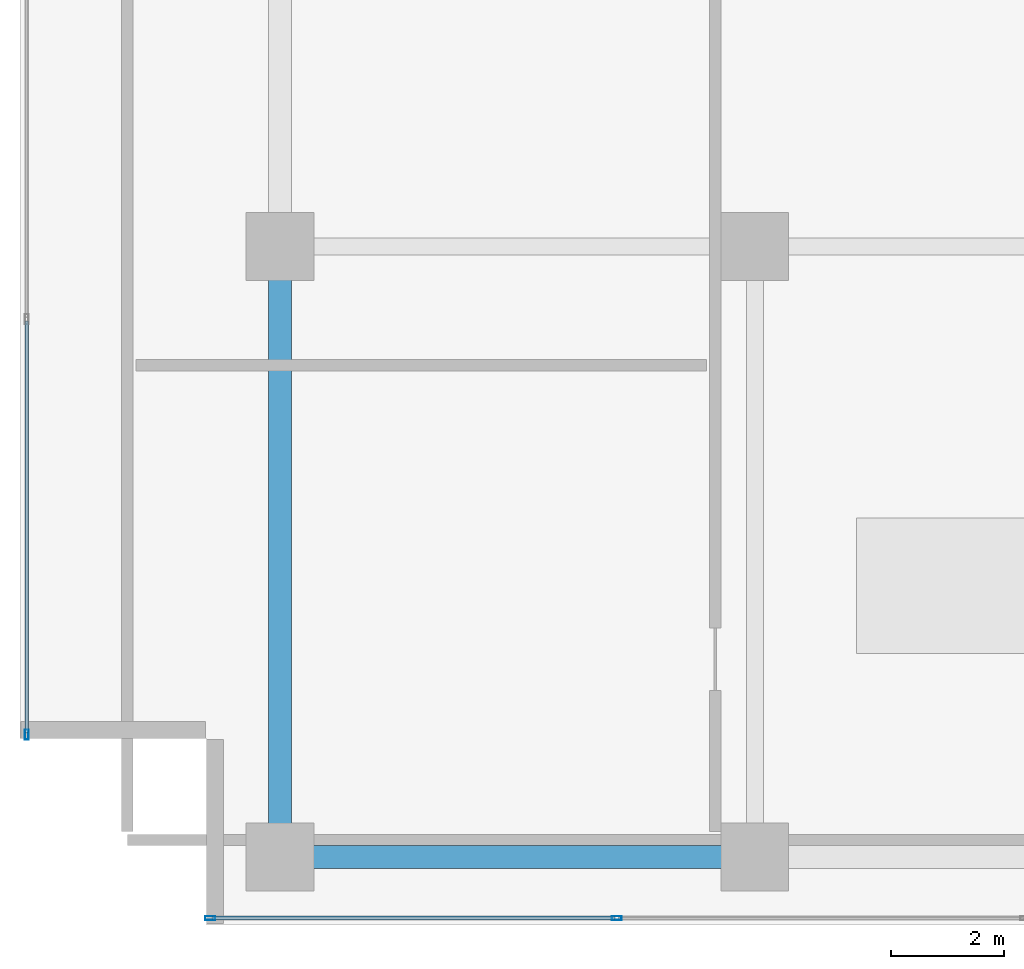
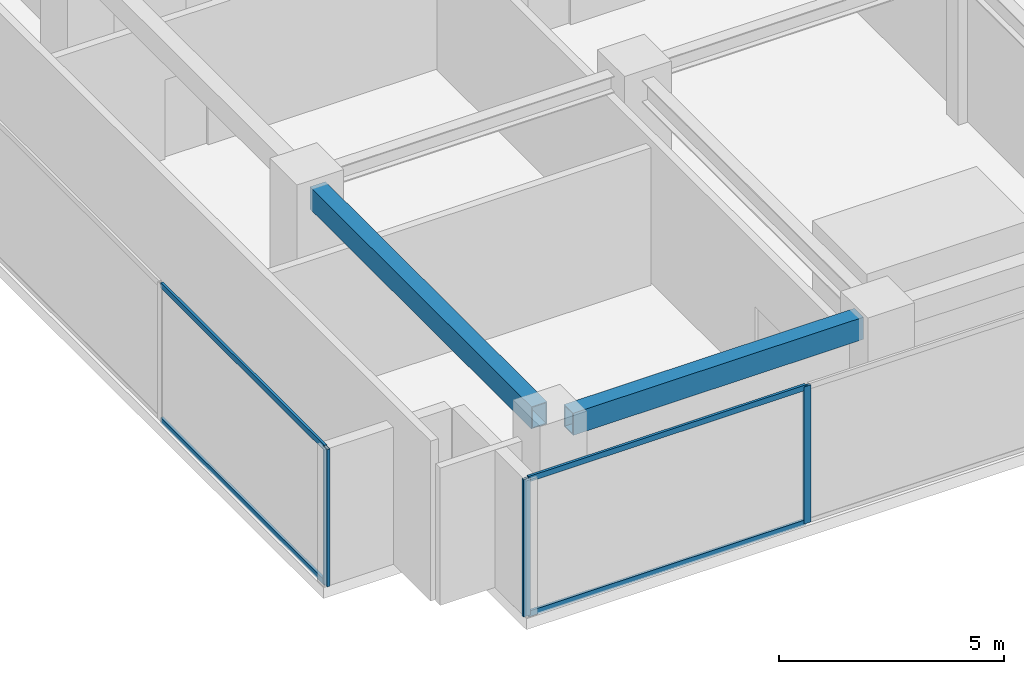
# One storey, part 2 of 19: 7 members, 2 beams, 2 elements without a shape of their own.
"""IFC4 building model written with IfcOpenShell, lengths in metres."""

from ifc_helpers import new_model, si_unit, direction, frame, origin, origin_2d, place, context, subcontext, project, spatial, hollow_rectangle, extrude, source, transform, mapped, material, layer, layer_set, material_profile, profile_set, type_object, element, aggregate, save


model = new_model("IFC4")

# Units and contexts
model_context = context("Model", 3, precision=1e-05, world=origin(), true_north=direction((0.0, 1.0)))
body_context = subcontext(model_context, "Body", "Model", "MODEL_VIEW")
ifc_project = project(units=[si_unit("LENGTHUNIT", "METRE"), si_unit("AREAUNIT", "SQUARE_METRE"), si_unit("VOLUMEUNIT", "CUBIC_METRE"), si_unit("PLANEANGLEUNIT", "RADIAN"), si_unit("MASSUNIT", "GRAM", prefix="KILO")], contexts=[model_context])

# Site, building, storey
site_placement = place(None, origin())
site = spatial("IfcSite", under=ifc_project, at=site_placement, CompositionType="ELEMENT")
building_placement = place(site_placement, origin())
building = spatial("IfcBuilding", under=site, at=building_placement, Name="Sumidabori Civic Tower", CompositionType="ELEMENT")
storey_placement = place(building_placement, frame((0.0, 0.0, 293.60009765625)))
storey = spatial("IfcBuildingStorey", under=building, at=storey_placement, Name="L77", CompositionType="ELEMENT", Elevation=293.60009765625)

# Beams
ifc_material_1 = material(Name="Steel SN490", Category="steel")
ifc_material_profile_1 = material_profile(ifc_material_1, hollow_rectangle(XDim=0.39990234375, YDim=0.60009765625, WallThickness=0.02490234375, at=origin_2d()), Name="RHS 600x400x25")
ifc_profile_set_1 = profile_set([ifc_material_profile_1], Name="Steel SN490")
beam_type = type_object("IfcBeamType", Name="BM-CRN-RING", PredefinedType="BEAM", material=ifc_profile_set_1)
shared_shape_1 = source(origin(), body_context, "Body", "SweptSolid", [
    extrude(hollow_rectangle(XDim=0.39990234375, YDim=0.60009765625, WallThickness=0.02490234375, at=origin_2d()), origin(), (0.0, 0.0, 1.0), 7.440185546875),
])
beam_1_placement = place(storey_placement, frame((-16.320068359375, -10.800048828125, 4.039794921875), z_axis=(1.0, 0.0, 0.0), x_axis=(0.0, 1.0, 0.0)))
element("IfcBeam", 1, at=beam_1_placement, inside=storey, type_object=beam_type, Name="Crown Base Ring Beam BR-1-01", PredefinedType="BEAM", context=body_context, shape_type="MappedRepresentation", body=[
    mapped(shared_shape_1, transform((0.0, 0.0, 0.0), x_axis=(1.0, 0.0, 0.0), y_axis=(0.0, 1.0, 0.0), z_axis=(0.0, 0.0, 1.0), scale=1.0)),
])
shared_shape_2 = source(origin(), body_context, "Body", "SweptSolid", [
    extrude(hollow_rectangle(XDim=0.39990234375, YDim=0.60009765625, WallThickness=0.02490234375, at=origin_2d()), origin(), (0.0, 0.0, 1.0), 9.840087890625),
])
beam_2_placement = place(storey_placement, frame((-16.800048828125, -10.320068359375, 4.039794921875), z_axis=(0.0, 1.0, 0.0), x_axis=(-1.0, 0.0, 0.0)))
element("IfcBeam", 2, at=beam_2_placement, inside=storey, type_object=beam_type, Name="Crown Base Ring Beam BR-1-08", PredefinedType="BEAM", context=body_context, shape_type="MappedRepresentation", body=[
    mapped(shared_shape_2, transform((0.0, 0.0, 0.0), x_axis=(1.0, 0.0, 0.0), y_axis=(0.0, 1.0, 0.0), z_axis=(0.0, 0.0, 1.0), scale=1.0)),
])

# Curtain wall, members
ifc_material_2 = material(Name="Anodised Bronze Aluminium AW-6063-T6", Category="aluminium")
ifc_layer = layer(ifc_material_2, 0.179931640625, Name="Anodised Bronze Aluminium AW-6063-T6")
ifc_layer_set = layer_set([ifc_layer], Name="Anodised Bronze Aluminium AW-6063-T6")
curtain_wall_type = type_object("IfcCurtainWallType", Name="CW-SYS-6", PredefinedType="NOTDEFINED", material=ifc_layer_set)
curtain_wall_1_placement = place(storey_placement, origin())
curtain_wall_1 = element("IfcCurtainWall", 3, at=curtain_wall_1_placement, inside=storey, type_object=curtain_wall_type, Name="Curtain Wall CW:L77:R01", PredefinedType="NOTDEFINED")
ifc_material_profile_2 = material_profile(ifc_material_2, hollow_rectangle(XDim=0.06494140625, YDim=0.14990234375, WallThickness=0.0048828125, at=origin_2d()), Name="ALU TRANSOM 150x65")
ifc_profile_set_2 = profile_set([ifc_material_profile_2], Name="Anodised Bronze Aluminium AW-6063-T6")
member_type_1 = type_object("IfcMemberType", Name="CW-TRN-150", PredefinedType="USERDEFINED", material=ifc_profile_set_2)
shared_shape_3 = source(origin(), body_context, "Body", "SweptSolid", [
    extrude(hollow_rectangle(XDim=0.06494140625, YDim=0.14990234375, WallThickness=0.0048828125, at=origin_2d()), origin(), (0.0, 0.0, 1.0), 7.123046875),
])
member_1_placement = place(storey_placement, frame((-18.0, -11.8798828125, 0.032470703125), z_axis=(1.0, 0.0, 0.0), x_axis=(0.0, 1.0, 0.0)))
member_1 = element("IfcMember", 4, at=member_1_placement, type_object=member_type_1, Name="CW-6 transom 1.1", ObjectType="TRANSOM", PredefinedType="USERDEFINED", context=body_context, shape_type="MappedRepresentation", body=[
    mapped(shared_shape_3, transform((0.0, 0.0, 0.0), x_axis=(1.0, 0.0, 0.0), y_axis=(0.0, 1.0, 0.0), z_axis=(0.0, 0.0, 1.0), scale=1.0)),
])
member_2_placement = place(storey_placement, frame((-18.0, -11.8798828125, 3.6875), z_axis=(1.0, 0.0, 0.0), x_axis=(0.0, 1.0, 0.0)))
member_2 = element("IfcMember", 5, at=member_2_placement, type_object=member_type_1, Name="CW-6 transom 1.2", ObjectType="TRANSOM", PredefinedType="USERDEFINED", context=body_context, shape_type="MappedRepresentation", body=[
    mapped(shared_shape_3, transform((0.0, 0.0, 0.0), x_axis=(1.0, 0.0, 0.0), y_axis=(0.0, 1.0, 0.0), z_axis=(0.0, 0.0, 1.0), scale=1.0)),
])

curtain_wall_2_placement = place(storey_placement, origin())
curtain_wall_2 = element("IfcCurtainWall", 6, at=curtain_wall_2_placement, inside=storey, type_object=curtain_wall_type, Name="Curtain Wall CW:L77:R10", PredefinedType="NOTDEFINED")
shared_shape_4 = source(origin(), body_context, "Body", "SweptSolid", [
    extrude(hollow_rectangle(XDim=0.06494140625, YDim=0.14990234375, WallThickness=0.0048828125, at=origin_2d()), origin(), (0.0, 0.0, 1.0), 7.280029296875),
])
member_3_placement = place(storey_placement, frame((-21.280029296875, -1.320068359375, 0.032470703125), z_axis=(0.0, -1.0, 0.0), x_axis=(1.0, 0.0, 0.0)))
member_3 = element("IfcMember", 7, at=member_3_placement, type_object=member_type_1, Name="CW-6 transom 4.1", ObjectType="TRANSOM", PredefinedType="USERDEFINED", context=body_context, shape_type="MappedRepresentation", body=[
    mapped(shared_shape_4, transform((0.0, 0.0, 0.0), x_axis=(1.0, 0.0, 0.0), y_axis=(0.0, 1.0, 0.0), z_axis=(0.0, 0.0, 1.0), scale=1.0)),
])
member_4_placement = place(storey_placement, frame((-21.280029296875, -1.320068359375, 3.6875), z_axis=(0.0, -1.0, 0.0), x_axis=(1.0, 0.0, 0.0)))
member_4 = element("IfcMember", 8, at=member_4_placement, type_object=member_type_1, Name="CW-6 transom 4.2", ObjectType="TRANSOM", PredefinedType="USERDEFINED", context=body_context, shape_type="MappedRepresentation", body=[
    mapped(shared_shape_4, transform((0.0, 0.0, 0.0), x_axis=(1.0, 0.0, 0.0), y_axis=(0.0, 1.0, 0.0), z_axis=(0.0, 0.0, 1.0), scale=1.0)),
])

# Member
ifc_material_profile_3 = material_profile(ifc_material_2, hollow_rectangle(XDim=0.070068359375, YDim=0.179931640625, WallThickness=0.006103515625, at=origin_2d()), Name="ALU MULLION 180x70")
ifc_profile_set_3 = profile_set([ifc_material_profile_3], Name="Anodised Bronze Aluminium AW-6063-T6")
member_type_2 = type_object("IfcMemberType", Name="CW-MUL-180", PredefinedType="MULLION", material=ifc_profile_set_3)
shared_shape_5 = source(origin(), body_context, "Body", "SweptSolid", [
    extrude(hollow_rectangle(XDim=0.070068359375, YDim=0.179931640625, WallThickness=0.006103515625, at=origin_2d()), origin(), (0.0, 0.0, 1.0), 3.719970703125),
])
member_5_placement = place(storey_placement, frame((-18.034912109375, -11.8798828125, 0.0), z_axis=(0.0, 0.0, 1.0), x_axis=(0.0, 1.0, 0.0)))
member_5 = element("IfcMember", 9, at=member_5_placement, type_object=member_type_2, Name="CW-6 mullion 1", PredefinedType="MULLION", context=body_context, shape_type="MappedRepresentation", body=[
    mapped(shared_shape_5, transform((0.0, 0.0, 0.0), x_axis=(1.0, 0.0, 0.0), y_axis=(0.0, 1.0, 0.0), z_axis=(0.0, 0.0, 1.0), scale=1.0)),
])

member_6_placement = place(storey_placement, frame((-10.842041015625, -11.8798828125, 0.0), z_axis=(0.0, 0.0, 1.0), x_axis=(0.0, 1.0, 0.0)))
member_6 = element("IfcMember", 10, at=member_6_placement, type_object=member_type_2, Name="CW-6 mullion 2", PredefinedType="MULLION", context=body_context, shape_type="MappedRepresentation", body=[
    mapped(shared_shape_5, transform((0.0, 0.0, 0.0), x_axis=(1.0, 0.0, 0.0), y_axis=(0.0, 1.0, 0.0), z_axis=(0.0, 0.0, 1.0), scale=1.0)),
])

aggregate(curtain_wall_1, [member_5, member_6, member_1, member_2])

member_7_placement = place(storey_placement, frame((-21.280029296875, -8.635009765625, 0.0), z_axis=(0.0, 0.0, 1.0), x_axis=(1.0, 0.0, 0.0)))
member_7 = element("IfcMember", 11, at=member_7_placement, type_object=member_type_2, Name="CW-6 mullion 5", PredefinedType="MULLION", context=body_context, shape_type="MappedRepresentation", body=[
    mapped(shared_shape_5, transform((0.0, 0.0, 0.0), x_axis=(1.0, 0.0, 0.0), y_axis=(0.0, 1.0, 0.0), z_axis=(0.0, 0.0, 1.0), scale=1.0)),
])

aggregate(curtain_wall_2, [member_7, member_3, member_4])

save(model, "model.ifc")
